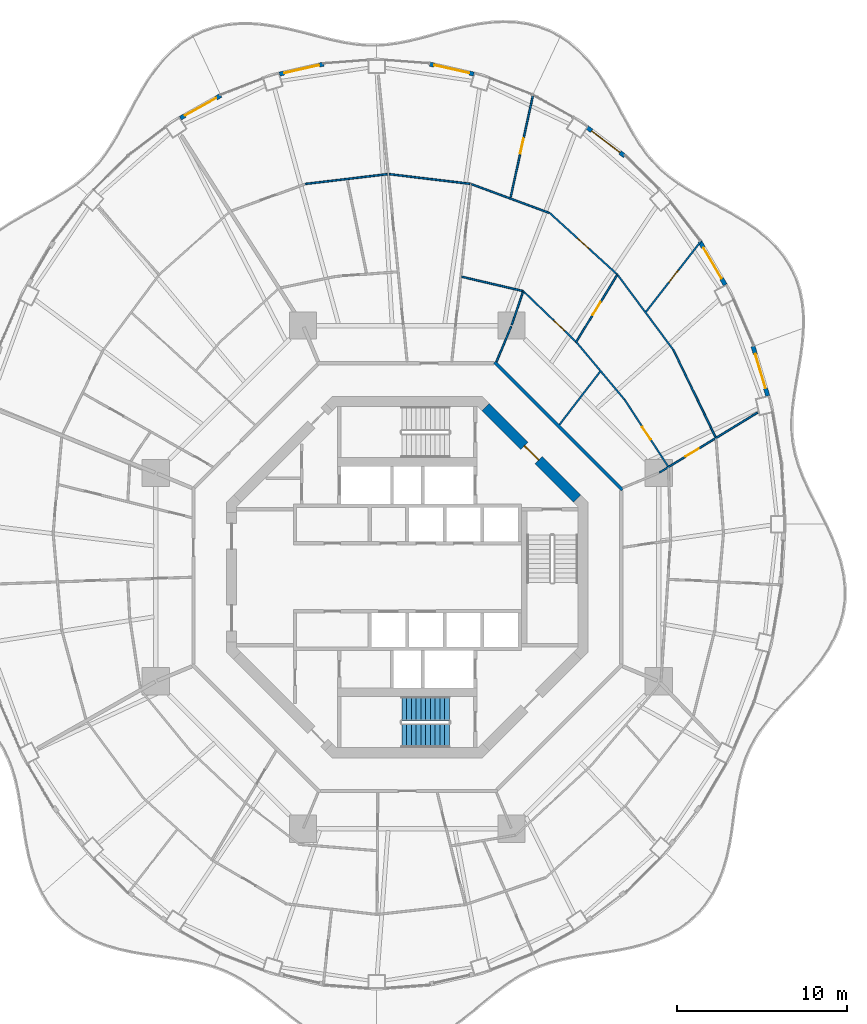
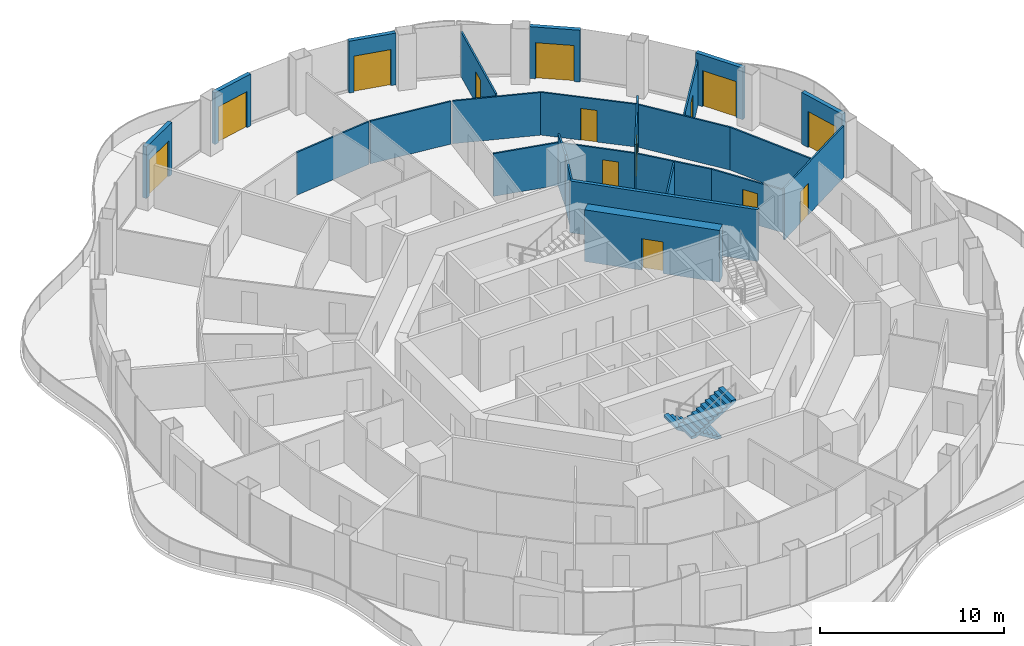
# One storey, part 14 of 18: 25 walls, 14 doors, 2 stair flights, 14 openings, 1 element without a shape of its own.
"""IFC4 building model written with IfcOpenShell, lengths in metres."""

from ifc_helpers import new_model, si_unit, direction, frame, frame_2d, origin, place, context, subcontext, project, spatial, polyline, rectangle, outline, extrude, material, layer, layer_set, type_object, element, fill, aggregate, save


model = new_model("IFC4")

# Units and contexts
model_context = context("Model", 3, precision=1e-05, world=origin(), true_north=direction((0.0, 1.0)))
body_context = subcontext(model_context, "Body", "Model", "MODEL_VIEW")
ifc_project = project(units=[si_unit("LENGTHUNIT", "METRE"), si_unit("AREAUNIT", "SQUARE_METRE"), si_unit("VOLUMEUNIT", "CUBIC_METRE"), si_unit("PLANEANGLEUNIT", "RADIAN"), si_unit("MASSUNIT", "GRAM", prefix="KILO")], contexts=[model_context])

# Site, building, storey
site_placement = place(None, origin())
site = spatial("IfcSite", under=ifc_project, at=site_placement, CompositionType="ELEMENT")
building_placement = place(site_placement, origin())
building = spatial("IfcBuilding", under=site, at=building_placement, Name="Nagisa Residences", CompositionType="ELEMENT")
storey_placement = place(building_placement, frame((0.0, 0.0, 223.300048828125)))
storey = spatial("IfcBuildingStorey", under=building, at=storey_placement, Name="L56", CompositionType="ELEMENT", Elevation=223.300048828125)

# Wall
ifc_material_1 = material(Name="Gypsum board on steel studs", Category="steel")
ifc_layer_1 = layer(ifc_material_1, 0.199951171875)
ifc_layer_set_1 = layer_set([ifc_layer_1], Name="Apartment entry wall EI60 200")
wall_type_1 = type_object("IfcWallType", Name="Apartment entry wall EI60 200", PredefinedType="PARTITIONING", material=ifc_layer_set_1)
wall_1_placement = place(storey_placement, frame((12.635498046875, 5.1337890625, 0.0), z_axis=(0.0, 0.0, 1.0), x_axis=(-0.707106781187, 0.707106781187, 0.0)))
element("IfcWall", 1, at=wall_1_placement, inside=storey, type_object=wall_type_1, Name="wall:L56:u09", PredefinedType="PARTITIONING", context=body_context, shape_type="SweptSolid", body=[
    extrude(rectangle(XDim=10.609130859375, YDim=0.199951171875, at=frame_2d((5.3046875, 0.0))), origin(), (0.0, 0.0, 1.0), 3.43994140625),
])

# Wall, opening, door
ifc_material_2 = material(Name="Gypsum board on steel studs", Category="steel")
ifc_layer_2 = layer(ifc_material_2, 0.10009765625)
ifc_layer_set_2 = layer_set([ifc_layer_2], Name="Apartment partition 100")
wall_type_2 = type_object("IfcWallType", Name="Apartment partition 100", PredefinedType="PARTITIONING", material=ifc_layer_set_2)
wall_2_placement = place(storey_placement, frame((14.82470703125, 6.149169921875, 0.0), z_axis=(0.0, 0.0, 1.0), x_axis=(0.852781365284, 0.522268075824, 0.0)))
wall_2 = element("IfcWall", 2, at=wall_2_placement, inside=storey, type_object=wall_type_2, Name="wall:L56:u22", PredefinedType="PARTITIONING", context=body_context, shape_type="SweptSolid", body=[
    extrude(rectangle(XDim=6.758056640625, YDim=0.10009765625, at=frame_2d((3.37890625, 0.0))), origin(), (0.0, 0.0, 1.0), 3.43994140625),
])
opening_1_placement = place(wall_2_placement, frame((1.80078125, 0.0, 0.0)))
opening_1 = element("IfcOpeningElement", 3, at=opening_1_placement, cuts=wall_2, Name="Opening L56-U44", PredefinedType="OPENING", context=body_context, shape_type="SweptSolid", body=[
    extrude(rectangle(XDim=0.89990234375, YDim=2.10009765625, at=frame_2d((0.449951171875, 1.050048828125))), frame((0.0, 0.06005859375, 0.0), z_axis=(0.0, -1.0, 0.0), x_axis=(1.0, 0.0, 0.0)), (0.0, 0.0, 1.0), 0.1201171875),
])
ifc_material_3 = material(Name="Timber door set", Category="wood")
door_type_1 = type_object("IfcDoorType", Name="Apartment door 900x2100", OperationType="NOTDEFINED", PredefinedType="DOOR", material=ifc_material_3)
door_1_placement = place(opening_1_placement, frame((0.89990234375, 0.0, 0.0), x_axis=(-1.0, 0.0, 0.0)))
door_1 = element("IfcDoor", 4, at=door_1_placement, inside=storey, type_object=door_type_1, Name="Door to study, Apartment 56D", OperationType="SINGLE_SWING_LEFT", OverallHeight=2.10009765625, OverallWidth=0.89990234375, PredefinedType="DOOR", context=body_context, shape_type="SweptSolid", body=[
    extrude(rectangle(XDim=0.89990234375, YDim=2.10009765625, at=frame_2d((0.449951171875, 1.050048828125))), frame((0.0, 0.02490234375, 0.0), z_axis=(0.0, -1.0, 0.0), x_axis=(1.0, 0.0, 0.0)), (0.0, 0.0, 1.0), 0.050048828125),
])
fill(opening_1, door_1)

wall_3_placement = place(storey_placement, frame((15.322509765625, 6.512451171875, 0.0), z_axis=(0.0, 0.0, 1.0), x_axis=(-0.545191322361, 0.8383116497, 0.0)))
wall_3 = element("IfcWall", 5, at=wall_3_placement, inside=storey, type_object=wall_type_2, Name="wall:L56:u23", PredefinedType="PARTITIONING", context=body_context, shape_type="SweptSolid", body=[
    extrude(rectangle(XDim=4.692626953125, YDim=0.10009765625, at=frame_2d((2.34619140625, 0.0))), origin(), (0.0, 0.0, 1.0), 2.8369140625),
])
opening_2_placement = place(wall_3_placement, frame((1.87109375, 0.0, 0.0)))
opening_2 = element("IfcOpeningElement", 6, at=opening_2_placement, cuts=wall_3, Name="Opening L56-U43", PredefinedType="OPENING", context=body_context, shape_type="SweptSolid", body=[
    extrude(rectangle(XDim=0.89990234375, YDim=2.10009765625, at=frame_2d((0.449951171875, 1.050048828125))), frame((0.0, 0.06005859375, 0.0), z_axis=(0.0, -1.0, 0.0), x_axis=(1.0, 0.0, 0.0)), (0.0, 0.0, 1.0), 0.1201171875),
])
door_2_placement = place(opening_2_placement, origin())
door_2 = element("IfcDoor", 7, at=door_2_placement, inside=storey, type_object=door_type_1, Name="Door to store, Apartment 56D", OperationType="SINGLE_SWING_LEFT", OverallHeight=2.10009765625, OverallWidth=0.89990234375, PredefinedType="DOOR", context=body_context, shape_type="SweptSolid", body=[
    extrude(rectangle(XDim=0.89990234375, YDim=2.10009765625, at=frame_2d((0.449951171875, 1.050048828125))), frame((0.0, 0.02490234375, 0.0), z_axis=(0.0, -1.0, 0.0), x_axis=(1.0, 0.0, 0.0)), (0.0, 0.0, 1.0), 0.050048828125),
])
fill(opening_2, door_2)

# Walls
wall_4_placement = place(storey_placement, frame((18.11669921875, 8.2236328125, 0.0), z_axis=(0.0, 0.0, 1.0), x_axis=(-0.434647681571, 0.900600573453, 0.0)))
element("IfcWall", 8, at=wall_4_placement, inside=storey, type_object=wall_type_2, Name="wall:L56:u24", PredefinedType="PARTITIONING", context=body_context, shape_type="SweptSolid", body=[
    extrude(rectangle(XDim=5.724365234375, YDim=0.10009765625, at=frame_2d((2.8623046875, 0.0))), origin(), (0.0, 0.0, 1.0), 2.8369140625),
])
wall_5_placement = place(storey_placement, frame((12.75927734375, 10.442626953125, 0.0), z_axis=(0.0, 0.0, 1.0), x_axis=(-0.642225196965, 0.766516011825, 0.0)))
element("IfcWall", 9, at=wall_5_placement, inside=storey, type_object=wall_type_2, Name="wall:L56:u25", PredefinedType="PARTITIONING", context=body_context, shape_type="SweptSolid", body=[
    extrude(rectangle(XDim=4.360595703125, YDim=0.10009765625, at=frame_2d((2.18017578125, 0.0))), origin(), (0.0, 0.0, 1.0), 2.8369140625),
])
wall_6_placement = place(storey_placement, frame((15.62060546875, 13.3740234375, 0.0), z_axis=(0.0, 0.0, 1.0), x_axis=(-0.596165830899, 0.802861321816, 0.0)))
element("IfcWall", 10, at=wall_6_placement, inside=storey, type_object=wall_type_2, Name="wall:L56:u26", PredefinedType="PARTITIONING", context=body_context, shape_type="SweptSolid", body=[
    extrude(rectangle(XDim=5.5419921875, YDim=0.10009765625, at=frame_2d((2.77099609375, 0.0))), origin(), (0.0, 0.0, 1.0), 2.8369140625),
])
wall_7_placement = place(storey_placement, frame((8.945556640625, 8.964111328125, 0.0), z_axis=(0.0, 0.0, 1.0), x_axis=(0.608213063121, 0.793773815296, 0.0)))
element("IfcWall", 11, at=wall_7_placement, inside=storey, type_object=wall_type_2, Name="wall:L56:u27", PredefinedType="PARTITIONING", context=body_context, shape_type="SweptSolid", body=[
    extrude(rectangle(XDim=3.918212890625, YDim=0.10009765625, at=frame_2d((1.958984375, 0.0))), origin(), (0.0, 0.0, 1.0), 2.761962890625),
])

# Wall, opening, door
wall_8_placement = place(storey_placement, frame((14.029052734375, 15.597900390625, 0.0), z_axis=(0.0, 0.0, 1.0), x_axis=(0.614558710688, 0.788871086501, 0.0)))
wall_8 = element("IfcWall", 12, at=wall_8_placement, inside=storey, type_object=wall_type_2, Name="wall:L56:u28", PredefinedType="PARTITIONING", context=body_context, shape_type="SweptSolid", body=[
    extrude(rectangle(XDim=5.276123046875, YDim=0.10009765625, at=frame_2d((2.63818359375, 0.0))), origin(), (0.0, 0.0, 1.0), 2.98291015625),
])
opening_3_placement = place(wall_8_placement, frame((2.18798828125, 0.0, 0.0)))
opening_3 = element("IfcOpeningElement", 13, at=opening_3_placement, cuts=wall_8, Name="Opening L56-U42", PredefinedType="OPENING", context=body_context, shape_type="SweptSolid", body=[
    extrude(rectangle(XDim=0.89990234375, YDim=2.10009765625, at=frame_2d((0.449951171875, 1.050048828125))), frame((0.0, 0.06005859375, 0.0), z_axis=(0.0, -1.0, 0.0), x_axis=(1.0, 0.0, 0.0)), (0.0, 0.0, 1.0), 0.1201171875),
])
door_3_placement = place(opening_3_placement, frame((0.89990234375, 0.0, 0.0), x_axis=(-1.0, 0.0, 0.0)))
door_3 = element("IfcDoor", 14, at=door_3_placement, inside=storey, type_object=door_type_1, Name="Door to master bedroom, Apartment 56D", OperationType="SINGLE_SWING_LEFT", OverallHeight=2.10009765625, OverallWidth=0.89990234375, PredefinedType="DOOR", context=body_context, shape_type="SweptSolid", body=[
    extrude(rectangle(XDim=0.89990234375, YDim=2.10009765625, at=frame_2d((0.449951171875, 1.050048828125))), frame((0.0, 0.02490234375, 0.0), z_axis=(0.0, -1.0, 0.0), x_axis=(1.0, 0.0, 0.0)), (0.0, 0.0, 1.0), 0.050048828125),
])
fill(opening_3, door_3)

wall_9_placement = place(storey_placement, frame((9.900390625, 13.78076171875, 0.0), z_axis=(0.0, 0.0, 1.0), x_axis=(0.521464905534, 0.853272730313, 0.0)))
wall_9 = element("IfcWall", 15, at=wall_9_placement, inside=storey, type_object=wall_type_2, Name="wall:L56:u29", PredefinedType="PARTITIONING", context=body_context, shape_type="SweptSolid", body=[
    extrude(rectangle(XDim=4.640625, YDim=0.10009765625, at=frame_2d((2.3203125, 0.0))), origin(), (0.0, 0.0, 1.0), 3.43994140625),
])
opening_4_placement = place(wall_9_placement, frame((1.895263671875, 0.0, 0.0)))
opening_4 = element("IfcOpeningElement", 16, at=opening_4_placement, cuts=wall_9, Name="Opening L56-U41", PredefinedType="OPENING", context=body_context, shape_type="SweptSolid", body=[
    extrude(rectangle(XDim=0.89990234375, YDim=2.10009765625, at=frame_2d((0.449951171875, 1.050048828125))), frame((0.0, 0.06005859375, 0.0), z_axis=(0.0, -1.0, 0.0), x_axis=(1.0, 0.0, 0.0)), (0.0, 0.0, 1.0), 0.1201171875),
])
door_4_placement = place(opening_4_placement, frame((0.89990234375, 0.0, 0.0), x_axis=(-1.0, 0.0, 0.0)))
door_4 = element("IfcDoor", 17, at=door_4_placement, inside=storey, type_object=door_type_1, Name="Door to kitchen, Apartment 56D", OperationType="SINGLE_SWING_RIGHT", OverallHeight=2.10009765625, OverallWidth=0.89990234375, PredefinedType="DOOR", context=body_context, shape_type="SweptSolid", body=[
    extrude(rectangle(XDim=0.89990234375, YDim=2.10009765625, at=frame_2d((0.449951171875, 1.050048828125))), frame((0.0, 0.02490234375, 0.0), z_axis=(0.0, -1.0, 0.0), x_axis=(1.0, 0.0, 0.0)), (0.0, 0.0, 1.0), 0.050048828125),
])
fill(opening_4, door_4)

wall_10_placement = place(storey_placement, frame((9.890380859375, 13.858154296875, 0.0), z_axis=(0.0, 0.0, 1.0), x_axis=(-0.72167233993, 0.692234811159, 0.0)))
wall_10 = element("IfcWall", 18, at=wall_10_placement, inside=storey, type_object=wall_type_2, Name="wall:L56:u30", PredefinedType="PARTITIONING", context=body_context, shape_type="SweptSolid", body=[
    extrude(rectangle(XDim=4.312744140625, YDim=0.10009765625, at=frame_2d((2.15625, 0.0))), origin(), (0.0, 0.0, 1.0), 2.8369140625),
])
opening_5_placement = place(wall_10_placement, frame((0.882568359375, 0.0, 0.0)))
opening_5 = element("IfcOpeningElement", 19, at=opening_5_placement, cuts=wall_10, Name="Opening L56-U40", PredefinedType="OPENING", context=body_context, shape_type="SweptSolid", body=[
    extrude(rectangle(XDim=0.89990234375, YDim=2.10009765625, at=frame_2d((0.449951171875, 1.050048828125))), frame((0.0, 0.06005859375, 0.0), z_axis=(0.0, -1.0, 0.0), x_axis=(1.0, 0.0, 0.0)), (0.0, 0.0, 1.0), 0.1201171875),
])
door_5_placement = place(opening_5_placement, origin())
door_5 = element("IfcDoor", 20, at=door_5_placement, inside=storey, type_object=door_type_1, Name="Door to laundry, Apartment 56D", OperationType="SINGLE_SWING_RIGHT", OverallHeight=2.10009765625, OverallWidth=0.89990234375, PredefinedType="DOOR", context=body_context, shape_type="SweptSolid", body=[
    extrude(rectangle(XDim=0.89990234375, YDim=2.10009765625, at=frame_2d((0.449951171875, 1.050048828125))), frame((0.0, 0.02490234375, 0.0), z_axis=(0.0, -1.0, 0.0), x_axis=(1.0, 0.0, 0.0)), (0.0, 0.0, 1.0), 0.050048828125),
])
fill(opening_5, door_5)

wall_11_placement = place(storey_placement, frame((12.3095703125, 17.81689453125, 0.0), z_axis=(0.0, 0.0, 1.0), x_axis=(-0.739697052892, 0.672940019573, 0.0)))
wall_11 = element("IfcWall", 21, at=wall_11_placement, inside=storey, type_object=wall_type_2, Name="wall:L56:u31", PredefinedType="PARTITIONING", context=body_context, shape_type="SweptSolid", body=[
    extrude(rectangle(XDim=5.364990234375, YDim=0.10009765625, at=frame_2d((2.6826171875, 0.0))), origin(), (0.0, 0.0, 1.0), 2.8369140625),
])
opening_6_placement = place(wall_11_placement, frame((2.20751953125, 0.0, 0.0)))
opening_6 = element("IfcOpeningElement", 22, at=opening_6_placement, cuts=wall_11, Name="Opening L56-U37", PredefinedType="OPENING", context=body_context, shape_type="SweptSolid", body=[
    extrude(rectangle(XDim=0.89990234375, YDim=2.10009765625, at=frame_2d((0.449951171875, 1.050048828125))), frame((0.0, 0.06005859375, 0.0), z_axis=(0.0, -1.0, 0.0), x_axis=(1.0, 0.0, 0.0)), (0.0, 0.0, 1.0), 0.1201171875),
])
door_6_placement = place(opening_6_placement, frame((0.89990234375, 0.0, 0.0), x_axis=(-1.0, 0.0, 0.0)))
door_6 = element("IfcDoor", 23, at=door_6_placement, inside=storey, type_object=door_type_1, Name="Door to family room, Apartment 56D", OperationType="SINGLE_SWING_RIGHT", OverallHeight=2.10009765625, OverallWidth=0.89990234375, PredefinedType="DOOR", context=body_context, shape_type="SweptSolid", body=[
    extrude(rectangle(XDim=0.89990234375, YDim=2.10009765625, at=frame_2d((0.449951171875, 1.050048828125))), frame((0.0, 0.02490234375, 0.0), z_axis=(0.0, -1.0, 0.0), x_axis=(1.0, 0.0, 0.0)), (0.0, 0.0, 1.0), 0.050048828125),
])
fill(opening_6, door_6)

# Walls
wall_12_placement = place(storey_placement, frame((5.24267578125, 12.6572265625, 0.0), z_axis=(0.0, 0.0, 1.0), x_axis=(0.382719158442, 0.923864733477, 0.0)))
element("IfcWall", 24, at=wall_12_placement, inside=storey, type_object=wall_type_2, Name="wall:L56:u32", PredefinedType="PARTITIONING", context=body_context, shape_type="SweptSolid", body=[
    extrude(rectangle(XDim=2.25, YDim=0.10009765625, at=frame_2d((1.125, 0.0))), origin(), (0.0, 0.0, 1.0), 3.43994140625),
])
wall_13_placement = place(storey_placement, frame((6.13916015625, 14.829345703125, 0.0), z_axis=(0.0, 0.0, 1.0), x_axis=(0.32278593828, 0.946471995385, 0.0)))
element("IfcWall", 25, at=wall_13_placement, inside=storey, type_object=wall_type_2, Name="wall:L56:u33", PredefinedType="PARTITIONING", context=body_context, shape_type="SweptSolid", body=[
    extrude(rectangle(XDim=2.04150390625, YDim=0.10009765625, at=frame_2d((1.020751953125, 0.0))), origin(), (0.0, 0.0, 1.0), 3.43994140625),
])
wall_14_placement = place(storey_placement, frame((6.765625, 16.8203125, 0.0), z_axis=(0.0, 0.0, 1.0), x_axis=(-0.973612608559, 0.22820711745, 0.0)))
element("IfcWall", 26, at=wall_14_placement, inside=storey, type_object=wall_type_2, Name="wall:L56:u34", PredefinedType="PARTITIONING", context=body_context, shape_type="SweptSolid", body=[
    extrude(rectangle(XDim=3.6630859375, YDim=0.10009765625, at=frame_2d((1.83154296875, 0.0))), origin(), (0.0, 0.0, 1.0), 2.8369140625),
])
wall_15_placement = place(storey_placement, frame((8.3310546875, 21.410888671875, 0.0), z_axis=(0.0, 0.0, 1.0), x_axis=(-0.937891982431, 0.346927412136, 0.0)))
element("IfcWall", 27, at=wall_15_placement, inside=storey, type_object=wall_type_2, Name="wall:L56:u35", PredefinedType="PARTITIONING", context=body_context, shape_type="SweptSolid", body=[
    extrude(rectangle(XDim=4.85009765625, YDim=0.10009765625, at=frame_2d((2.425048828125, 0.0))), origin(), (0.0, 0.0, 1.0), 2.8369140625),
])

# Wall, opening, door
wall_16_placement = place(storey_placement, frame((6.0673828125, 22.301025390625, 0.0), z_axis=(0.0, 0.0, 1.0), x_axis=(0.214401821533, 0.976745544614, 0.0)))
wall_16 = element("IfcWall", 28, at=wall_16_placement, inside=storey, type_object=wall_type_2, Name="wall:L56:u36", PredefinedType="PARTITIONING", context=body_context, shape_type="SweptSolid", body=[
    extrude(rectangle(XDim=6.2275390625, YDim=0.10009765625, at=frame_2d((3.11376953125, 0.0))), origin(), (0.0, 0.0, 1.0), 2.98291015625),
])
opening_7_placement = place(wall_16_placement, frame((2.663818359375, 0.0, 0.0)))
opening_7 = element("IfcOpeningElement", 29, at=opening_7_placement, cuts=wall_16, Name="Opening L56-U38", PredefinedType="OPENING", context=body_context, shape_type="SweptSolid", body=[
    extrude(rectangle(XDim=0.89990234375, YDim=2.10009765625, at=frame_2d((0.449951171875, 1.050048828125))), frame((0.0, 0.06005859375, 0.0), z_axis=(0.0, -1.0, 0.0), x_axis=(1.0, 0.0, 0.0)), (0.0, 0.0, 1.0), 0.1201171875),
])
door_7_placement = place(opening_7_placement, origin())
door_7 = element("IfcDoor", 30, at=door_7_placement, inside=storey, type_object=door_type_1, Name="Door to master bedroom, Apartment 56D", OperationType="SINGLE_SWING_RIGHT", OverallHeight=2.10009765625, OverallWidth=0.89990234375, PredefinedType="DOOR", context=body_context, shape_type="SweptSolid", body=[
    extrude(rectangle(XDim=0.89990234375, YDim=2.10009765625, at=frame_2d((0.449951171875, 1.050048828125))), frame((0.0, 0.02490234375, 0.0), z_axis=(0.0, -1.0, 0.0), x_axis=(1.0, 0.0, 0.0)), (0.0, 0.0, 1.0), 0.050048828125),
])
fill(opening_7, door_7)

# Walls
wall_17_placement = place(storey_placement, frame((3.685791015625, 23.11669921875, 0.0), z_axis=(0.0, 0.0, 1.0), x_axis=(-0.992965872314, 0.11840091393, 0.0)))
element("IfcWall", 31, at=wall_17_placement, inside=storey, type_object=wall_type_2, Name="wall:L56:u38", PredefinedType="PARTITIONING", context=body_context, shape_type="SweptSolid", body=[
    extrude(rectangle(XDim=4.785888671875, YDim=0.10009765625, at=frame_2d((2.39306640625, 0.0))), origin(), (0.0, 0.0, 1.0), 2.8369140625),
])
wall_18_placement = place(storey_placement, frame((-1.165771484375, 23.683349609375, 0.0), z_axis=(0.0, 0.0, 1.0), x_axis=(-0.992961712415, -0.118435795593, 0.0)))
element("IfcWall", 32, at=wall_18_placement, inside=storey, type_object=wall_type_2, Name="wall:L56:u41", PredefinedType="PARTITIONING", context=body_context, shape_type="SweptSolid", body=[
    extrude(rectangle(XDim=4.885498046875, YDim=0.10009765625, at=frame_2d((2.44287109375, 0.0))), origin(), (0.0, 0.0, 1.0), 2.8369140625),
])

# Wall, opening, door
ifc_material_4 = material(Name="Precast concrete C40/50", Category="concrete")
ifc_layer_3 = layer(ifc_material_4, 0.25)
ifc_layer_set_3 = layer_set([ifc_layer_3], Name="BALCONY DOOR WALL 250")
wall_type_3 = type_object("IfcWallType", Name="BALCONY DOOR WALL 250", PredefinedType="SOLIDWALL", material=ifc_layer_set_3)
wall_19_placement = place(storey_placement, frame((20.318115234375, 13.563720703125, 0.0), z_axis=(0.0, 0.0, 1.0), x_axis=(0.285785716255, -0.958293548128, 0.0)))
wall_19 = element("IfcWall", 33, at=wall_19_placement, inside=storey, type_object=wall_type_3, Name="wall:L56:bay02", PredefinedType="SOLIDWALL", context=body_context, shape_type="SweptSolid", body=[
    extrude(rectangle(XDim=3.040283203125, YDim=0.25, at=frame_2d((1.52001953125, 0.0))), origin(), (0.0, 0.0, 1.0), 3.43994140625),
])
opening_8_placement = place(wall_19_placement, frame((0.47021484375, 0.0, 0.0)))
opening_8 = element("IfcOpeningElement", 34, at=opening_8_placement, cuts=wall_19, Name="Opening BD-L56-01", PredefinedType="OPENING", context=body_context, shape_type="SweptSolid", body=[
    extrude(rectangle(XDim=2.10009765625, YDim=2.39990234375, at=frame_2d((1.050048828125, 1.199951171875))), frame((0.0, 0.135009765625, 0.0), z_axis=(0.0, -1.0, 0.0), x_axis=(1.0, 0.0, 0.0)), (0.0, 0.0, 1.0), 0.27001953125),
])
ifc_material_5 = material(Name="Aluminium and clear glass", Category="aluminium")
door_type_2 = type_object("IfcDoorType", Name="BALCONY SLIDING DOOR 2100x2400", OperationType="SLIDING_TO_LEFT", PredefinedType="DOOR", material=ifc_material_5)
door_8_placement = place(opening_8_placement, origin())
door_8 = element("IfcDoor", 35, at=door_8_placement, inside=storey, type_object=door_type_2, Name="door:L56:bay02", OperationType="SLIDING_TO_LEFT", OverallHeight=2.39990234375, OverallWidth=2.10009765625, PredefinedType="DOOR", context=body_context, shape_type="SweptSolid", body=[
    extrude(rectangle(XDim=2.10009765625, YDim=2.39990234375, at=frame_2d((1.050048828125, 1.199951171875))), frame((0.0, 0.02490234375, 0.0), z_axis=(0.0, -1.0, 0.0), x_axis=(1.0, 0.0, 0.0)), (0.0, 0.0, 1.0), 0.050048828125),
])
fill(opening_8, door_8)

wall_20_placement = place(storey_placement, frame((17.188232421875, 19.728271484375, 0.0), z_axis=(0.0, 0.0, 1.0), x_axis=(0.506391620556, -0.862303616269, 0.0)))
wall_20 = element("IfcWall", 36, at=wall_20_placement, inside=storey, type_object=wall_type_3, Name="wall:L56:bay04", PredefinedType="SOLIDWALL", context=body_context, shape_type="SweptSolid", body=[
    extrude(rectangle(XDim=2.954345703125, YDim=0.25, at=frame_2d((1.47705078125, 0.0))), origin(), (0.0, 0.0, 1.0), 3.43994140625),
])
opening_9_placement = place(wall_20_placement, frame((0.42724609375, 0.0, 0.0)))
opening_9 = element("IfcOpeningElement", 37, at=opening_9_placement, cuts=wall_20, Name="Opening BD-L56-02", PredefinedType="OPENING", context=body_context, shape_type="SweptSolid", body=[
    extrude(rectangle(XDim=2.10009765625, YDim=2.39990234375, at=frame_2d((1.050048828125, 1.199951171875))), frame((0.0, 0.135009765625, 0.0), z_axis=(0.0, -1.0, 0.0), x_axis=(1.0, 0.0, 0.0)), (0.0, 0.0, 1.0), 0.27001953125),
])
door_9_placement = place(opening_9_placement, origin())
door_9 = element("IfcDoor", 38, at=door_9_placement, inside=storey, type_object=door_type_2, Name="door:L56:bay04", OperationType="SLIDING_TO_LEFT", OverallHeight=2.39990234375, OverallWidth=2.10009765625, PredefinedType="DOOR", context=body_context, shape_type="SweptSolid", body=[
    extrude(rectangle(XDim=2.10009765625, YDim=2.39990234375, at=frame_2d((1.050048828125, 1.199951171875))), frame((0.0, 0.02490234375, 0.0), z_axis=(0.0, -1.0, 0.0), x_axis=(1.0, 0.0, 0.0)), (0.0, 0.0, 1.0), 0.050048828125),
])
fill(opening_9, door_9)

wall_21_placement = place(storey_placement, frame((10.557373046875, 26.43603515625, 0.0), z_axis=(0.0, 0.0, 1.0), x_axis=(0.796022158395, -0.605267480825, 0.0)))
wall_21 = element("IfcWall", 39, at=wall_21_placement, inside=storey, type_object=wall_type_3, Name="wall:L56:bay07", PredefinedType="SOLIDWALL", context=body_context, shape_type="SweptSolid", body=[
    extrude(rectangle(XDim=2.788818359375, YDim=0.25, at=frame_2d((1.39453125, 0.0))), origin(), (0.0, 0.0, 1.0), 3.43994140625),
])
opening_10_placement = place(wall_21_placement, frame((0.34423828125, 0.0, 0.0)))
opening_10 = element("IfcOpeningElement", 40, at=opening_10_placement, cuts=wall_21, Name="Opening BD-L56-03", PredefinedType="OPENING", context=body_context, shape_type="SweptSolid", body=[
    extrude(rectangle(XDim=2.10009765625, YDim=2.39990234375, at=frame_2d((1.050048828125, 1.199951171875))), frame((0.0, 0.135009765625, 0.0), z_axis=(0.0, -1.0, 0.0), x_axis=(1.0, 0.0, 0.0)), (0.0, 0.0, 1.0), 0.27001953125),
])
door_10_placement = place(opening_10_placement, origin())
door_10 = element("IfcDoor", 41, at=door_10_placement, inside=storey, type_object=door_type_2, Name="door:L56:bay07", OperationType="SLIDING_TO_LEFT", OverallHeight=2.39990234375, OverallWidth=2.10009765625, PredefinedType="DOOR", context=body_context, shape_type="SweptSolid", body=[
    extrude(rectangle(XDim=2.10009765625, YDim=2.39990234375, at=frame_2d((1.050048828125, 1.199951171875))), frame((0.0, 0.02490234375, 0.0), z_axis=(0.0, -1.0, 0.0), x_axis=(1.0, 0.0, 0.0)), (0.0, 0.0, 1.0), 0.050048828125),
])
fill(opening_10, door_10)

wall_22_placement = place(storey_placement, frame((1.314208984375, 30.1513671875, 0.0), z_axis=(0.0, 0.0, 1.0), x_axis=(0.975324089124, -0.220777990694, 0.0)))
wall_22 = element("IfcWall", 42, at=wall_22_placement, inside=storey, type_object=wall_type_3, Name="wall:L56:bay10", PredefinedType="SOLIDWALL", context=body_context, shape_type="SweptSolid", body=[
    extrude(rectangle(XDim=2.666015625, YDim=0.25, at=frame_2d((1.3330078125, 0.0))), origin(), (0.0, 0.0, 1.0), 3.43994140625),
])
opening_11_placement = place(wall_22_placement, frame((0.282958984375, 0.0, 0.0)))
opening_11 = element("IfcOpeningElement", 43, at=opening_11_placement, cuts=wall_22, Name="Opening BD-L56-04", PredefinedType="OPENING", context=body_context, shape_type="SweptSolid", body=[
    extrude(rectangle(XDim=2.10009765625, YDim=2.39990234375, at=frame_2d((1.050048828125, 1.199951171875))), frame((0.0, 0.135009765625, 0.0), z_axis=(0.0, -1.0, 0.0), x_axis=(1.0, 0.0, 0.0)), (0.0, 0.0, 1.0), 0.27001953125),
])
door_11_placement = place(opening_11_placement, origin())
door_11 = element("IfcDoor", 44, at=door_11_placement, inside=storey, type_object=door_type_2, Name="door:L56:bay10", OperationType="SLIDING_TO_LEFT", OverallHeight=2.39990234375, OverallWidth=2.10009765625, PredefinedType="DOOR", context=body_context, shape_type="SweptSolid", body=[
    extrude(rectangle(XDim=2.10009765625, YDim=2.39990234375, at=frame_2d((1.050048828125, 1.199951171875))), frame((0.0, 0.02490234375, 0.0), z_axis=(0.0, -1.0, 0.0), x_axis=(1.0, 0.0, 0.0)), (0.0, 0.0, 1.0), 0.050048828125),
])
fill(opening_11, door_11)

wall_23_placement = place(storey_placement, frame((-7.514404296875, 29.562744140625, 0.0), z_axis=(0.0, 0.0, 1.0), x_axis=(0.975324089124, 0.220777990694, 0.0)))
wall_23 = element("IfcWall", 45, at=wall_23_placement, inside=storey, type_object=wall_type_3, Name="wall:L56:bay13", PredefinedType="SOLIDWALL", context=body_context, shape_type="SweptSolid", body=[
    extrude(rectangle(XDim=2.666015625, YDim=0.25, at=frame_2d((1.3330078125, 0.0))), origin(), (0.0, 0.0, 1.0), 3.43994140625),
])
opening_12_placement = place(wall_23_placement, frame((0.282958984375, 0.0, 0.0)))
opening_12 = element("IfcOpeningElement", 46, at=opening_12_placement, cuts=wall_23, Name="Opening BD-L56-05", PredefinedType="OPENING", context=body_context, shape_type="SweptSolid", body=[
    extrude(rectangle(XDim=2.10009765625, YDim=2.39990234375, at=frame_2d((1.050048828125, 1.199951171875))), frame((0.0, 0.135009765625, 0.0), z_axis=(0.0, -1.0, 0.0), x_axis=(1.0, 0.0, 0.0)), (0.0, 0.0, 1.0), 0.27001953125),
])
door_12_placement = place(opening_12_placement, origin())
door_12 = element("IfcDoor", 47, at=door_12_placement, inside=storey, type_object=door_type_2, Name="door:L56:bay13", OperationType="SLIDING_TO_LEFT", OverallHeight=2.39990234375, OverallWidth=2.10009765625, PredefinedType="DOOR", context=body_context, shape_type="SweptSolid", body=[
    extrude(rectangle(XDim=2.10009765625, YDim=2.39990234375, at=frame_2d((1.050048828125, 1.199951171875))), frame((0.0, 0.02490234375, 0.0), z_axis=(0.0, -1.0, 0.0), x_axis=(1.0, 0.0, 0.0)), (0.0, 0.0, 1.0), 0.050048828125),
])
fill(opening_12, door_12)

wall_24_placement = place(storey_placement, frame((-13.337890625, 26.973876953125, 0.0), z_axis=(0.0, 0.0, 1.0), x_axis=(0.872101280701, 0.489325409313, 0.0)))
wall_24 = element("IfcWall", 48, at=wall_24_placement, inside=storey, type_object=wall_type_3, Name="wall:L56:bay15", PredefinedType="SOLIDWALL", context=body_context, shape_type="SweptSolid", body=[
    extrude(rectangle(XDim=2.738037109375, YDim=0.25, at=frame_2d((1.369140625, 0.0))), origin(), (0.0, 0.0, 1.0), 3.43994140625),
])
opening_13_placement = place(wall_24_placement, frame((0.319091796875, 0.0, 0.0)))
opening_13 = element("IfcOpeningElement", 49, at=opening_13_placement, cuts=wall_24, Name="Opening BD-L56-06", PredefinedType="OPENING", context=body_context, shape_type="SweptSolid", body=[
    extrude(rectangle(XDim=2.10009765625, YDim=2.39990234375, at=frame_2d((1.050048828125, 1.199951171875))), frame((0.0, 0.135009765625, 0.0), z_axis=(0.0, -1.0, 0.0), x_axis=(1.0, 0.0, 0.0)), (0.0, 0.0, 1.0), 0.27001953125),
])
door_13_placement = place(opening_13_placement, origin())
door_13 = element("IfcDoor", 50, at=door_13_placement, inside=storey, type_object=door_type_2, Name="door:L56:bay15", OperationType="SLIDING_TO_LEFT", OverallHeight=2.39990234375, OverallWidth=2.10009765625, PredefinedType="DOOR", context=body_context, shape_type="SweptSolid", body=[
    extrude(rectangle(XDim=2.10009765625, YDim=2.39990234375, at=frame_2d((1.050048828125, 1.199951171875))), frame((0.0, 0.02490234375, 0.0), z_axis=(0.0, -1.0, 0.0), x_axis=(1.0, 0.0, 0.0)), (0.0, 0.0, 1.0), 0.050048828125),
])
fill(opening_13, door_13)

ifc_material_6 = material(Name="Concrete C60", Category="concrete")
ifc_layer_4 = layer(ifc_material_6, 0.60009765625)
ifc_layer_set_4 = layer_set([ifc_layer_4], Name="Core shear wall 600")
wall_type_4 = type_object("IfcWallType", Name="Core shear wall 600", PredefinedType="SHEAR", material=ifc_layer_set_4)
wall_25_placement = place(storey_placement, frame((9.98828125, 4.613037109375, 0.0), z_axis=(0.0, 0.0, 1.0), x_axis=(-0.707106781187, 0.707106781187, 0.0)))
wall_25 = element("IfcWall", 51, at=wall_25_placement, inside=storey, type_object=wall_type_4, Name="wall:L56:core:flat1", PredefinedType="SHEAR", context=body_context, shape_type="SweptSolid", body=[
    extrude(rectangle(XDim=7.601806640625, YDim=0.60009765625, at=frame_2d((3.80078125, 0.0))), origin(), (0.0, 0.0, 1.0), 3.43994140625),
])
opening_14_placement = place(wall_25_placement, frame((3.200927734375, 0.0, 0.0)))
opening_14 = element("IfcOpeningElement", 52, at=opening_14_placement, cuts=wall_25, Name="Opening L56-C18", PredefinedType="OPENING", context=body_context, shape_type="SweptSolid", body=[
    extrude(rectangle(XDim=1.199951171875, YDim=2.10009765625, at=frame_2d((0.60009765625, 1.050048828125))), frame((0.0, 0.31005859375, 0.0), z_axis=(0.0, -1.0, 0.0), x_axis=(1.0, 0.0, 0.0)), (0.0, 0.0, 1.0), 0.6201171875),
])
ifc_material_7 = material(Name="Steel fire door", Category="steel")
door_type_3 = type_object("IfcDoorType", Name="Fire door EI60 1200x2100 single swing", OperationType="NOTDEFINED", PredefinedType="DOOR", material=ifc_material_7)
door_14_placement = place(opening_14_placement, origin())
door_14 = element("IfcDoor", 53, at=door_14_placement, inside=storey, type_object=door_type_3, Name="Firefighting lobby 1 door L56", OperationType="SINGLE_SWING_LEFT", OverallHeight=2.10009765625, OverallWidth=1.199951171875, PredefinedType="DOOR", context=body_context, shape_type="SweptSolid", body=[
    extrude(rectangle(XDim=1.199951171875, YDim=2.10009765625, at=frame_2d((0.60009765625, 1.050048828125))), frame((0.0, 0.02490234375, 0.0), z_axis=(0.0, -1.0, 0.0), x_axis=(1.0, 0.0, 0.0)), (0.0, 0.0, 1.0), 0.050048828125),
])
fill(opening_14, door_14)

# Stair, stair flights
ifc_material_8 = material(Name="Concrete C60", Category="concrete")
stair_type = type_object("IfcStairType", Name="Exit stair", PredefinedType="HALF_TURN_STAIR", material=ifc_material_8)
stair_placement = place(storey_placement, origin())
stair = element("IfcStair", 54, at=stair_placement, inside=storey, type_object=stair_type, Name="L56 Exit stair S", PredefinedType="HALF_TURN_STAIR")
ifc_material_9 = material(Name="Concrete C60", Category="concrete")
stair_flight_type = type_object("IfcStairFlightType", Name="Exit stair flight", PredefinedType="STRAIGHT", material=ifc_material_9)
stair_flight_1_placement = place(storey_placement, frame((2.47509765625, -7.737060546875, 0.0), z_axis=(0.0, 0.0, 1.0), x_axis=(-1.0, 0.0, 0.0)))
stair_flight_1 = element("IfcStairFlight", 55, at=stair_flight_1_placement, type_object=stair_flight_type, Name="ST-S flight 1", NumberOfRisers=11, NumberOfTreads=10, PredefinedType="STRAIGHT", RiserHeight=0.168181818, TreadLength=0.28, context=body_context, shape_type="SweptSolid", body=[
    extrude(outline(polyline([(0.0, 0.0), (0.0, 0.168212890625), (0.280029296875, 0.168212890625), (0.280029296875, 0.33642578125), (0.56005859375, 0.33642578125), (0.56005859375, 0.504638671875), (0.840087890625, 0.504638671875), (0.840087890625, 0.672607421875), (1.1201171875, 0.672607421875), (1.1201171875, 0.8408203125), (1.39990234375, 0.8408203125), (1.39990234375, 1.009033203125), (1.679931640625, 1.009033203125), (1.679931640625, 1.17724609375), (1.9599609375, 1.17724609375), (1.9599609375, 1.345458984375), (2.239990234375, 1.345458984375), (2.239990234375, 1.513671875), (2.52001953125, 1.513671875), (2.52001953125, 1.681884765625), (2.800048828125, 1.681884765625), (2.800048828125, 1.85009765625), (2.800048828125, 1.5068359375), (0.291015625, 0.0), (0.0, 0.0)])), frame((0.0, 0.71240234375, 0.0), z_axis=(0.0, -1.0, 0.0), x_axis=(1.0, 0.0, 0.0)), (0.0, 0.0, 1.0), 1.425048828125),
])
stair_flight_2_placement = place(storey_placement, frame((-0.324951171875, -9.31201171875, 1.849853515625), z_axis=(0.0, 0.0, 1.0), x_axis=(1.0, 0.0, 0.0)))
stair_flight_2 = element("IfcStairFlight", 56, at=stair_flight_2_placement, type_object=stair_flight_type, Name="ST-S flight 2", NumberOfRisers=11, NumberOfTreads=10, PredefinedType="STRAIGHT", RiserHeight=0.168181818, TreadLength=0.28, context=body_context, shape_type="SweptSolid", body=[
    extrude(outline(polyline([(0.0, 0.0), (0.0, 0.168212890625), (0.280029296875, 0.168212890625), (0.280029296875, 0.33642578125), (0.56005859375, 0.33642578125), (0.56005859375, 0.504638671875), (0.840087890625, 0.504638671875), (0.840087890625, 0.672607421875), (1.1201171875, 0.672607421875), (1.1201171875, 0.8408203125), (1.39990234375, 0.8408203125), (1.39990234375, 1.009033203125), (1.679931640625, 1.009033203125), (1.679931640625, 1.17724609375), (1.9599609375, 1.17724609375), (1.9599609375, 1.345458984375), (2.239990234375, 1.345458984375), (2.239990234375, 1.513671875), (2.52001953125, 1.513671875), (2.52001953125, 1.681884765625), (2.800048828125, 1.681884765625), (2.800048828125, 1.85009765625), (2.800048828125, 1.5068359375), (0.291015625, 0.0), (0.0, 0.0)])), frame((0.0, 0.71240234375, 0.0), z_axis=(0.0, -1.0, 0.0), x_axis=(1.0, 0.0, 0.0)), (0.0, 0.0, 1.0), 1.425048828125),
])
aggregate(stair, [stair_flight_1, stair_flight_2])

save(model, "model.ifc")
